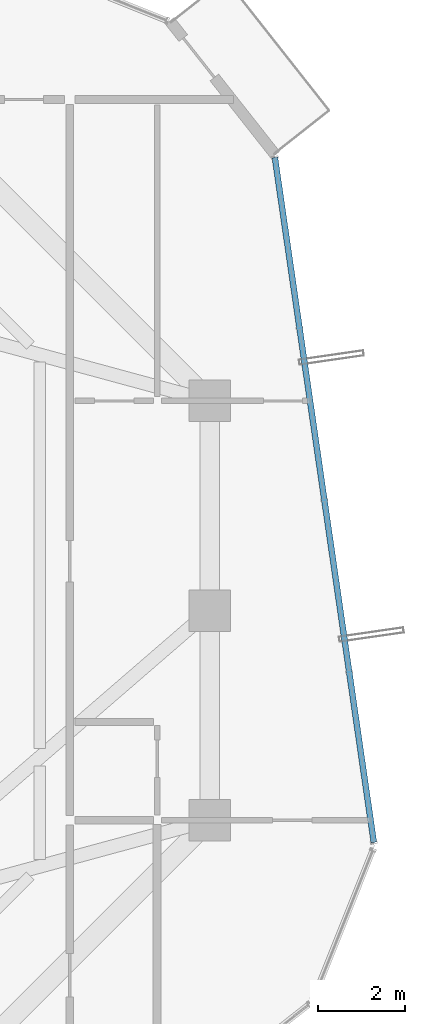
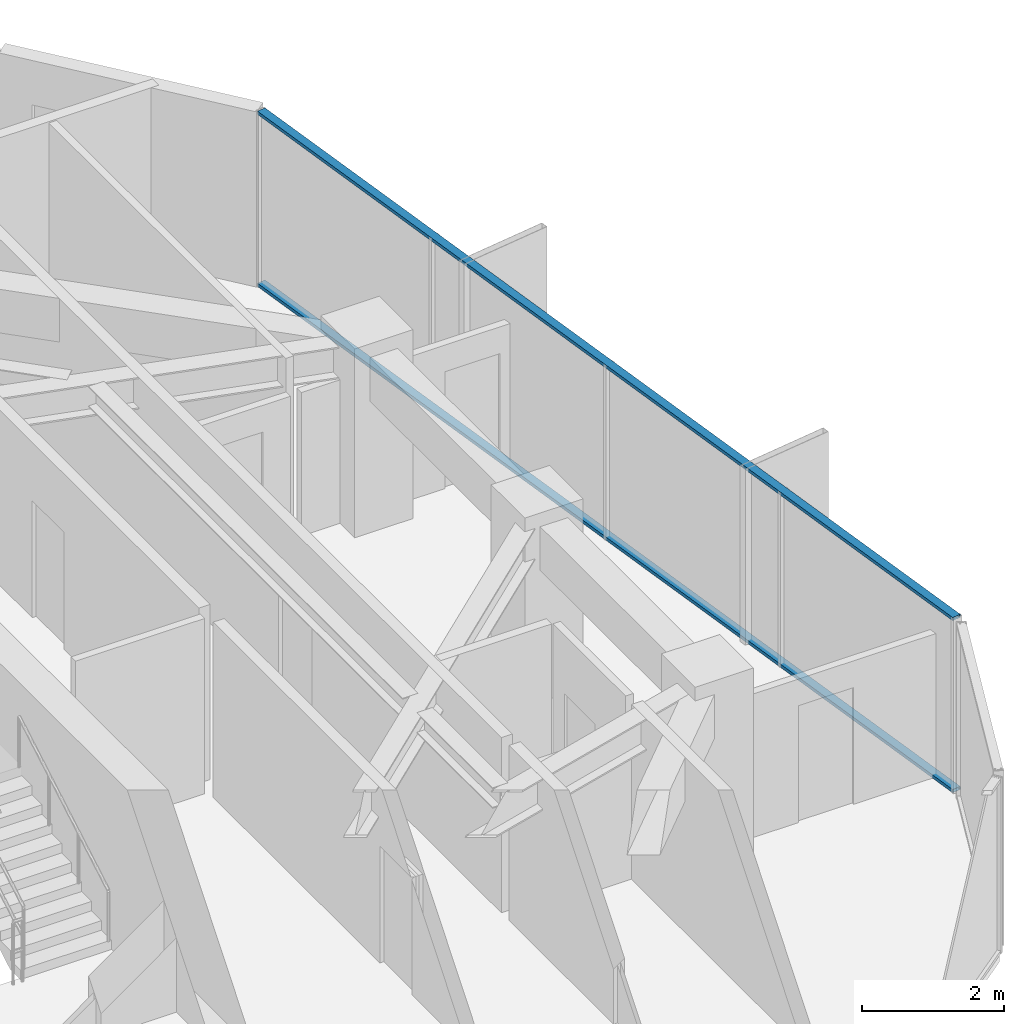
# One storey, part 18 of 31: 2 members, 1 element without a shape of its own.
"""IFC4 building model written with IfcOpenShell, lengths in metres."""

from ifc_helpers import new_model, si_unit, direction, frame, origin, origin_2d, place, context, subcontext, project, spatial, hollow_rectangle, extrude, source, transform, mapped, material, layer, layer_set, material_profile, profile_set, type_object, element, aggregate, save


model = new_model("IFC4")

# Units and contexts
model_context = context("Model", 3, precision=1e-05, world=origin(), true_north=direction((0.0, 1.0)))
body_context = subcontext(model_context, "Body", "Model", "MODEL_VIEW")
ifc_project = project(units=[si_unit("LENGTHUNIT", "METRE"), si_unit("AREAUNIT", "SQUARE_METRE"), si_unit("VOLUMEUNIT", "CUBIC_METRE"), si_unit("PLANEANGLEUNIT", "RADIAN"), si_unit("MASSUNIT", "GRAM", prefix="KILO")], contexts=[model_context])

# Site, building, storey
site_placement = place(None, origin())
site = spatial("IfcSite", under=ifc_project, at=site_placement, CompositionType="ELEMENT")
building_placement = place(site_placement, origin())
building = spatial("IfcBuilding", under=site, at=building_placement, Name="Veraguas Prism Commons", CompositionType="ELEMENT")
storey_placement = place(building_placement, frame((0.0, 0.0, 178.85009765625)))
storey = spatial("IfcBuildingStorey", under=building, at=storey_placement, Name="L50", CompositionType="ELEMENT", Elevation=178.85009765625)

# Curtain wall, members
ifc_material = material(Name="Anodised aluminium EN AW-6063 T6", Category="aluminium")
ifc_layer = layer(ifc_material, 0.14990234375, Name="Unitised Flush Curtain Wall Zone 3", Category="aluminium")
ifc_layer_set = layer_set([ifc_layer], Name="Anodised aluminium EN AW-6063 T6")
curtain_wall_type = type_object("IfcCurtainWallType", Name="Unitised Flush Curtain Wall Zone 3", PredefinedType="NOTDEFINED", material=ifc_layer_set)
curtain_wall_placement = place(storey_placement, origin())
curtain_wall = element("IfcCurtainWall", 1, at=curtain_wall_placement, inside=storey, type_object=curtain_wall_type, Name="Tower Facade Curtain Wall L50-F6", PredefinedType="NOTDEFINED")
ifc_material_profile = material_profile(ifc_material, hollow_rectangle(XDim=0.054931640625, YDim=0.135009765625, WallThickness=0.0029296875, at=origin_2d()), Name="AL55X135X3")
ifc_profile_set = profile_set([ifc_material_profile], Name="Anodised aluminium EN AW-6063 T6")
member_type = type_object("IfcMemberType", Name="Curtain Wall Transom Standard AL 55x135x3", PredefinedType="USERDEFINED", material=ifc_profile_set)
shared_shape = source(origin(), body_context, "Body", "SweptSolid", [
    extrude(hollow_rectangle(XDim=0.054931640625, YDim=0.135009765625, WallThickness=0.0029296875, at=origin_2d()), origin(), (0.0, 0.0, 1.0), 15.84228515625),
])
member_1_placement = place(storey_placement, frame((42.660888671875, 18.6923828125, 0.02734375), z_axis=(-0.142981058091, 0.989725425069, 0.0), x_axis=(0.0, 0.0, 1.0)))
member_1 = element("IfcMember", 2, at=member_1_placement, type_object=member_type, Name="CW-Z3 Transom 1", ObjectType="TRANSOM", PredefinedType="USERDEFINED", context=body_context, shape_type="MappedRepresentation", body=[
    mapped(shared_shape, transform((0.0, 0.0, 0.0), scale=1.0)),
])
member_2_placement = place(storey_placement, frame((42.660888671875, 18.6923828125, 2.9873046875), z_axis=(-0.142981058091, 0.989725425069, 0.0), x_axis=(0.0, 0.0, 1.0)))
member_2 = element("IfcMember", 3, at=member_2_placement, type_object=member_type, Name="CW-Z3 Transom 2", ObjectType="TRANSOM", PredefinedType="USERDEFINED", context=body_context, shape_type="MappedRepresentation", body=[
    mapped(shared_shape, transform((0.0, 0.0, 0.0), scale=1.0)),
])
aggregate(curtain_wall, [member_1, member_2])

save(model, "model.ifc")
